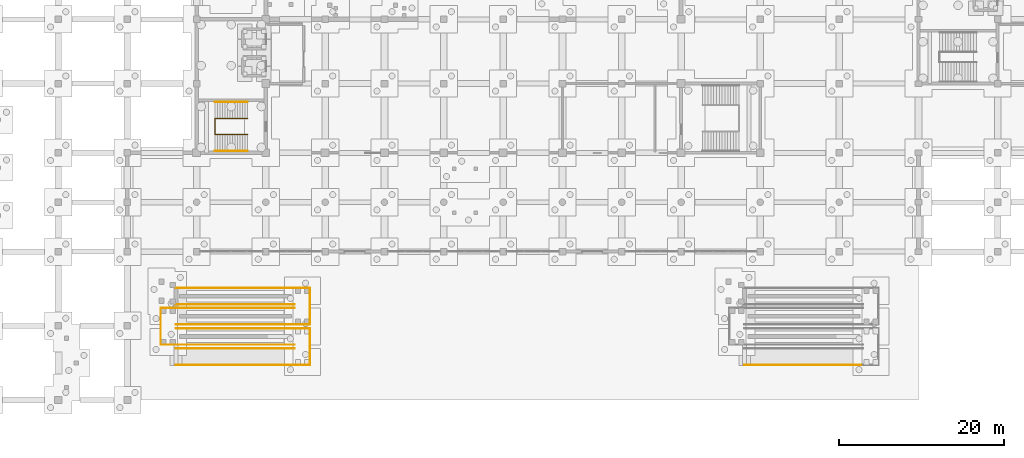
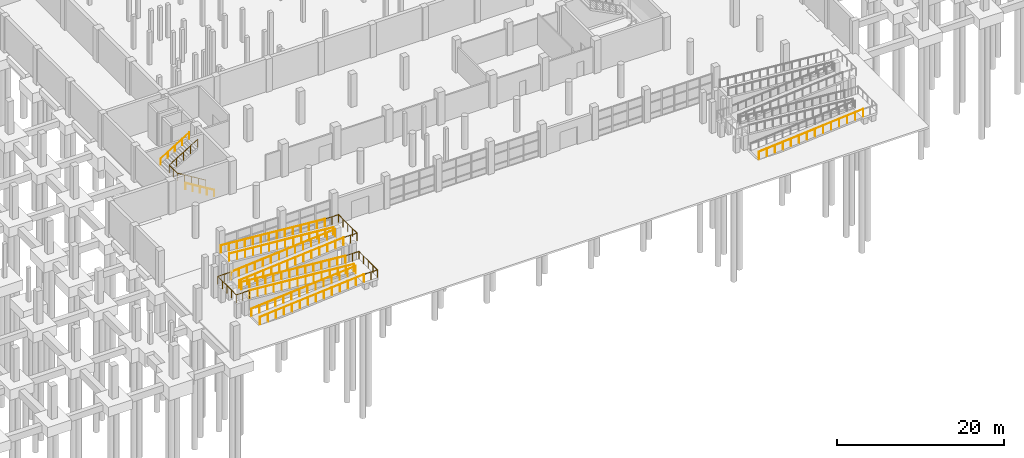
# One storey, part 38 of 42: 15 railings.
"""IFC4 building model written with IfcOpenShell, lengths in metres."""

from ifc_helpers import new_model, si_unit, direction, frame, origin, origin_2d, place, context, subcontext, project, spatial, circle, extrude, material, type_object, element, save


model = new_model("IFC4")

# Units and contexts
model_context = context("Model", 3, precision=1e-05, world=origin(), true_north=direction((0.0, 1.0)))
body_context = subcontext(model_context, "Body", "Model", "MODEL_VIEW")
ifc_project = project(units=[si_unit("LENGTHUNIT", "METRE"), si_unit("AREAUNIT", "SQUARE_METRE"), si_unit("VOLUMEUNIT", "CUBIC_METRE"), si_unit("PLANEANGLEUNIT", "RADIAN"), si_unit("MASSUNIT", "GRAM", prefix="KILO")], contexts=[model_context])

# Site, building, storey
site_placement = place(None, origin())
site = spatial("IfcSite", under=ifc_project, at=site_placement, CompositionType="ELEMENT")
building_placement = place(site_placement, origin())
building = spatial("IfcBuilding", under=site, at=building_placement, Name="Pellamere Symphony Hall", CompositionType="ELEMENT")
storey_placement = place(building_placement, frame((0.0, 0.0, -4.800048828125)))
storey = spatial("IfcBuildingStorey", under=building, at=storey_placement, Name="B1", CompositionType="ELEMENT", Elevation=-4.800048828125)

# Railings
ifc_material_1 = material(Name="Painted Steel CSA G40.21 350W", Category="steel")
railing_type_1 = type_object("IfcRailingType", Name="Guardrail GR-02 H1150 Painted", PredefinedType="GUARDRAIL", material=ifc_material_1)
railing_1_placement = place(storey_placement, frame((56.574951171875, 32.239990234375, 0.0)))
element("IfcRailing", 1, at=railing_1_placement, inside=storey, type_object=railing_type_1, Name="Stair ST01-B1 Continuous Well Guardrail (B1)", PredefinedType="GUARDRAIL", context=body_context, shape_type="SweptSolid", body=[
    extrude(circle(Radius=0.02392578125, at=origin_2d()), frame((0.0, 0.0, 1.1259765625), z_axis=(-0.854599162348, 0.0, 0.519288235679), x_axis=(0.0, -1.0, 0.0)), (0.0, 0.0, 1.0), 4.6220703125),
    extrude(circle(Radius=0.02392578125, at=origin_2d()), frame((-3.949951171875, 0.0, 3.52587890625), z_axis=(0.0, 1.0, 0.0), x_axis=(-1.0, 0.0, 0.0)), (0.0, 0.0, 1.0), 1.919921875),
    extrude(circle(Radius=0.02392578125, at=origin_2d()), frame((-3.949951171875, 1.919921875, 3.52587890625), z_axis=(0.854622603422, 0.0, 0.519249656446), x_axis=(0.0, 1.0, 0.0)), (0.0, 0.0, 1.0), 4.621826171875),
    extrude(circle(Radius=0.02099609375, at=origin_2d()), origin(), (0.0, 0.0, 1.0), 1.101806640625),
    extrude(circle(Radius=0.02099609375, at=origin_2d()), frame((-0.987548828125, 0.0, 0.60009765625)), (0.0, 0.0, 1.0), 1.101806640625),
    extrude(circle(Radius=0.02099609375, at=origin_2d()), frame((-1.97509765625, 0.0, 1.2001953125)), (0.0, 0.0, 1.0), 1.101806640625),
    extrude(circle(Radius=0.02099609375, at=origin_2d()), frame((-2.96240234375, 0.0, 1.800048828125)), (0.0, 0.0, 1.0), 1.101806640625),
    extrude(circle(Radius=0.02099609375, at=origin_2d()), frame((-3.949951171875, 0.0, 2.400146484375)), (0.0, 0.0, 1.0), 1.101806640625),
    extrude(circle(Radius=0.02099609375, at=origin_2d()), frame((-3.949951171875, 0.9599609375, 2.400146484375)), (0.0, 0.0, 1.0), 1.101806640625),
    extrude(circle(Radius=0.02099609375, at=origin_2d()), frame((-3.949951171875, 1.919921875, 2.400146484375)), (0.0, 0.0, 1.0), 1.101806640625),
    extrude(circle(Radius=0.02099609375, at=origin_2d()), frame((-2.96240234375, 1.919921875, 3.0)), (0.0, 0.0, 1.0), 1.101806640625),
    extrude(circle(Radius=0.02099609375, at=origin_2d()), frame((-1.97509765625, 1.919921875, 3.60009765625)), (0.0, 0.0, 1.0), 1.101806640625),
    extrude(circle(Radius=0.02099609375, at=origin_2d()), frame((-0.987548828125, 1.919921875, 4.2001953125)), (0.0, 0.0, 1.0), 1.101806640625),
    extrude(circle(Radius=0.02099609375, at=origin_2d()), frame((0.0, 1.919921875, 4.800048828125)), (0.0, 0.0, 1.0), 1.101806640625),
])
railing_2_placement = place(storey_placement, frame((47.89990234375, 4.25, 0.0)))
element("IfcRailing", 2, at=railing_2_placement, inside=storey, type_object=railing_type_1, Name="Ramp RMP-01 Flight 1 Guardrail A", PredefinedType="GUARDRAIL", context=body_context, shape_type="SweptSolid", body=[
    extrude(circle(Radius=0.02392578125, at=origin_2d()), frame((0.0, 0.0, 1.1259765625), z_axis=(0.996546107798, 0.0, 0.083041285113), x_axis=(0.0, 1.0, 0.0)), (0.0, 0.0, 1.0), 14.449951171875),
    extrude(circle(Radius=0.02099609375, at=origin_2d()), origin(), (0.0, 0.0, 1.0), 1.101806640625),
    extrude(circle(Radius=0.02099609375, at=origin_2d()), frame((1.107666015625, 0.0, 0.09228515625)), (0.0, 0.0, 1.0), 1.101806640625),
    extrude(circle(Radius=0.02099609375, at=origin_2d()), frame((2.21533203125, 0.0, 0.1845703125)), (0.0, 0.0, 1.0), 1.101806640625),
    extrude(circle(Radius=0.02099609375, at=origin_2d()), frame((3.322998046875, 0.0, 0.27685546875)), (0.0, 0.0, 1.0), 1.101806640625),
    extrude(circle(Radius=0.02099609375, at=origin_2d()), frame((4.430908203125, 0.0, 0.369140625)), (0.0, 0.0, 1.0), 1.101806640625),
    extrude(circle(Radius=0.02099609375, at=origin_2d()), frame((5.53857421875, 0.0, 0.46142578125)), (0.0, 0.0, 1.0), 1.101806640625),
    extrude(circle(Radius=0.02099609375, at=origin_2d()), frame((6.646240234375, 0.0, 0.5537109375)), (0.0, 0.0, 1.0), 1.101806640625),
    extrude(circle(Radius=0.02099609375, at=origin_2d()), frame((7.75390625, 0.0, 0.646240234375)), (0.0, 0.0, 1.0), 1.101806640625),
    extrude(circle(Radius=0.02099609375, at=origin_2d()), frame((8.861572265625, 0.0, 0.738525390625)), (0.0, 0.0, 1.0), 1.101806640625),
    extrude(circle(Radius=0.02099609375, at=origin_2d()), frame((9.96923828125, 0.0, 0.830810546875)), (0.0, 0.0, 1.0), 1.101806640625),
    extrude(circle(Radius=0.02099609375, at=origin_2d()), frame((11.0771484375, 0.0, 0.923095703125)), (0.0, 0.0, 1.0), 1.101806640625),
    extrude(circle(Radius=0.02099609375, at=origin_2d()), frame((12.184814453125, 0.0, 1.015380859375)), (0.0, 0.0, 1.0), 1.101806640625),
    extrude(circle(Radius=0.02099609375, at=origin_2d()), frame((13.29248046875, 0.0, 1.107666015625)), (0.0, 0.0, 1.0), 1.101806640625),
    extrude(circle(Radius=0.02099609375, at=origin_2d()), frame((14.400146484375, 0.0, 1.199951171875)), (0.0, 0.0, 1.0), 1.101806640625),
])
railing_3_placement = place(storey_placement, frame((47.89990234375, 6.25, 0.0)))
element("IfcRailing", 3, at=railing_3_placement, inside=storey, type_object=railing_type_1, Name="Ramp RMP-01 Flight 1 Guardrail B", PredefinedType="GUARDRAIL", context=body_context, shape_type="SweptSolid", body=[
    extrude(circle(Radius=0.02392578125, at=origin_2d()), frame((0.0, 0.0, 1.1259765625), z_axis=(0.996546107798, 0.0, 0.083041285113), x_axis=(0.0, 1.0, 0.0)), (0.0, 0.0, 1.0), 14.449951171875),
    extrude(circle(Radius=0.02099609375, at=origin_2d()), origin(), (0.0, 0.0, 1.0), 1.101806640625),
    extrude(circle(Radius=0.02099609375, at=origin_2d()), frame((1.107666015625, 0.0, 0.09228515625)), (0.0, 0.0, 1.0), 1.101806640625),
    extrude(circle(Radius=0.02099609375, at=origin_2d()), frame((2.21533203125, 0.0, 0.1845703125)), (0.0, 0.0, 1.0), 1.101806640625),
    extrude(circle(Radius=0.02099609375, at=origin_2d()), frame((3.322998046875, 0.0, 0.27685546875)), (0.0, 0.0, 1.0), 1.101806640625),
    extrude(circle(Radius=0.02099609375, at=origin_2d()), frame((4.430908203125, 0.0, 0.369140625)), (0.0, 0.0, 1.0), 1.101806640625),
    extrude(circle(Radius=0.02099609375, at=origin_2d()), frame((5.53857421875, 0.0, 0.46142578125)), (0.0, 0.0, 1.0), 1.101806640625),
    extrude(circle(Radius=0.02099609375, at=origin_2d()), frame((6.646240234375, 0.0, 0.5537109375)), (0.0, 0.0, 1.0), 1.101806640625),
    extrude(circle(Radius=0.02099609375, at=origin_2d()), frame((7.75390625, 0.0, 0.646240234375)), (0.0, 0.0, 1.0), 1.101806640625),
    extrude(circle(Radius=0.02099609375, at=origin_2d()), frame((8.861572265625, 0.0, 0.738525390625)), (0.0, 0.0, 1.0), 1.101806640625),
    extrude(circle(Radius=0.02099609375, at=origin_2d()), frame((9.96923828125, 0.0, 0.830810546875)), (0.0, 0.0, 1.0), 1.101806640625),
    extrude(circle(Radius=0.02099609375, at=origin_2d()), frame((11.0771484375, 0.0, 0.923095703125)), (0.0, 0.0, 1.0), 1.101806640625),
    extrude(circle(Radius=0.02099609375, at=origin_2d()), frame((12.184814453125, 0.0, 1.015380859375)), (0.0, 0.0, 1.0), 1.101806640625),
    extrude(circle(Radius=0.02099609375, at=origin_2d()), frame((13.29248046875, 0.0, 1.107666015625)), (0.0, 0.0, 1.0), 1.101806640625),
    extrude(circle(Radius=0.02099609375, at=origin_2d()), frame((14.400146484375, 0.0, 1.199951171875)), (0.0, 0.0, 1.0), 1.101806640625),
])
railing_4_placement = place(storey_placement, frame((62.35009765625, 4.25, 1.199951171875)))
element("IfcRailing", 4, at=railing_4_placement, inside=storey, type_object=railing_type_1, Name="Ramp RMP-01 Landing 1 Perimeter Guard", PredefinedType="GUARDRAIL", context=body_context, shape_type="SweptSolid", body=[
    extrude(circle(Radius=0.02392578125, at=origin_2d()), frame((0.0, 0.0, 1.1259765625), z_axis=(1.0, 0.0, 0.0), x_axis=(0.0, 1.0, 0.0)), (0.0, 0.0, 1.0), 1.7998046875),
    extrude(circle(Radius=0.02392578125, at=origin_2d()), frame((1.7998046875, 0.0, 1.1259765625), z_axis=(0.0, 1.0, 0.0), x_axis=(-1.0, 0.0, 0.0)), (0.0, 0.0, 1.0), 4.449951171875),
    extrude(circle(Radius=0.02392578125, at=origin_2d()), frame((1.7998046875, 4.449951171875, 1.1259765625), z_axis=(-1.0, 0.0, 0.0), x_axis=(0.0, -1.0, 0.0)), (0.0, 0.0, 1.0), 1.7998046875),
    extrude(circle(Radius=0.02099609375, at=origin_2d()), origin(), (0.0, 0.0, 1.0), 1.101806640625),
    extrude(circle(Radius=0.02099609375, at=origin_2d()), frame((0.89990234375, 0.0, 0.0)), (0.0, 0.0, 1.0), 1.101806640625),
    extrude(circle(Radius=0.02099609375, at=origin_2d()), frame((1.7998046875, 0.0, 0.0)), (0.0, 0.0, 1.0), 1.101806640625),
    extrude(circle(Radius=0.02099609375, at=origin_2d()), frame((1.7998046875, 1.112548828125, 0.0)), (0.0, 0.0, 1.0), 1.101806640625),
    extrude(circle(Radius=0.02099609375, at=origin_2d()), frame((1.7998046875, 2.22509765625, 0.0)), (0.0, 0.0, 1.0), 1.101806640625),
    extrude(circle(Radius=0.02099609375, at=origin_2d()), frame((1.7998046875, 3.33740234375, 0.0)), (0.0, 0.0, 1.0), 1.101806640625),
    extrude(circle(Radius=0.02099609375, at=origin_2d()), frame((1.7998046875, 4.449951171875, 0.0)), (0.0, 0.0, 1.0), 1.101806640625),
    extrude(circle(Radius=0.02099609375, at=origin_2d()), frame((0.89990234375, 4.449951171875, 0.0)), (0.0, 0.0, 1.0), 1.101806640625),
    extrude(circle(Radius=0.02099609375, at=origin_2d()), frame((0.0, 4.449951171875, 0.0)), (0.0, 0.0, 1.0), 1.101806640625),
])
railing_5_placement = place(storey_placement, frame((62.300048828125, 6.699951171875, 1.199951171875)))
element("IfcRailing", 5, at=railing_5_placement, inside=storey, type_object=railing_type_1, Name="Ramp RMP-01 Flight 2 Guardrail A", PredefinedType="GUARDRAIL", context=body_context, shape_type="SweptSolid", body=[
    extrude(circle(Radius=0.02392578125, at=origin_2d()), frame((0.0, 0.0, 1.1259765625), z_axis=(-0.996544709482, 0.0, 0.083058064049), x_axis=(0.0, -1.0, 0.0)), (0.0, 0.0, 1.0), 14.4501953125),
    extrude(circle(Radius=0.02099609375, at=origin_2d()), origin(), (0.0, 0.0, 1.0), 1.101806640625),
    extrude(circle(Radius=0.02099609375, at=origin_2d()), frame((-1.107666015625, 0.0, 0.09228515625)), (0.0, 0.0, 1.0), 1.101806640625),
    extrude(circle(Radius=0.02099609375, at=origin_2d()), frame((-2.21533203125, 0.0, 0.1845703125)), (0.0, 0.0, 1.0), 1.101806640625),
    extrude(circle(Radius=0.02099609375, at=origin_2d()), frame((-3.322998046875, 0.0, 0.27685546875)), (0.0, 0.0, 1.0), 1.101806640625),
    extrude(circle(Radius=0.02099609375, at=origin_2d()), frame((-4.430908203125, 0.0, 0.369384765625)), (0.0, 0.0, 1.0), 1.101806640625),
    extrude(circle(Radius=0.02099609375, at=origin_2d()), frame((-5.53857421875, 0.0, 0.461669921875)), (0.0, 0.0, 1.0), 1.101806640625),
    extrude(circle(Radius=0.02099609375, at=origin_2d()), frame((-6.646240234375, 0.0, 0.553955078125)), (0.0, 0.0, 1.0), 1.101806640625),
    extrude(circle(Radius=0.02099609375, at=origin_2d()), frame((-7.75390625, 0.0, 0.646240234375)), (0.0, 0.0, 1.0), 1.101806640625),
    extrude(circle(Radius=0.02099609375, at=origin_2d()), frame((-8.861572265625, 0.0, 0.738525390625)), (0.0, 0.0, 1.0), 1.101806640625),
    extrude(circle(Radius=0.02099609375, at=origin_2d()), frame((-9.96923828125, 0.0, 0.830810546875)), (0.0, 0.0, 1.0), 1.101806640625),
    extrude(circle(Radius=0.02099609375, at=origin_2d()), frame((-11.0771484375, 0.0, 0.92333984375)), (0.0, 0.0, 1.0), 1.101806640625),
    extrude(circle(Radius=0.02099609375, at=origin_2d()), frame((-12.184814453125, 0.0, 1.015625)), (0.0, 0.0, 1.0), 1.101806640625),
    extrude(circle(Radius=0.02099609375, at=origin_2d()), frame((-13.29248046875, 0.0, 1.10791015625)), (0.0, 0.0, 1.0), 1.101806640625),
    extrude(circle(Radius=0.02099609375, at=origin_2d()), frame((-14.400146484375, 0.0, 1.2001953125)), (0.0, 0.0, 1.0), 1.101806640625),
])
railing_6_placement = place(storey_placement, frame((62.300048828125, 8.699951171875, 1.199951171875)))
element("IfcRailing", 6, at=railing_6_placement, inside=storey, type_object=railing_type_1, Name="Ramp RMP-01 Flight 2 Guardrail B", PredefinedType="GUARDRAIL", context=body_context, shape_type="SweptSolid", body=[
    extrude(circle(Radius=0.02392578125, at=origin_2d()), frame((0.0, 0.0, 1.1259765625), z_axis=(-0.996544709482, 0.0, 0.083058064049), x_axis=(0.0, -1.0, 0.0)), (0.0, 0.0, 1.0), 14.4501953125),
    extrude(circle(Radius=0.02099609375, at=origin_2d()), origin(), (0.0, 0.0, 1.0), 1.101806640625),
    extrude(circle(Radius=0.02099609375, at=origin_2d()), frame((-1.107666015625, 0.0, 0.09228515625)), (0.0, 0.0, 1.0), 1.101806640625),
    extrude(circle(Radius=0.02099609375, at=origin_2d()), frame((-2.21533203125, 0.0, 0.1845703125)), (0.0, 0.0, 1.0), 1.101806640625),
    extrude(circle(Radius=0.02099609375, at=origin_2d()), frame((-3.322998046875, 0.0, 0.27685546875)), (0.0, 0.0, 1.0), 1.101806640625),
    extrude(circle(Radius=0.02099609375, at=origin_2d()), frame((-4.430908203125, 0.0, 0.369384765625)), (0.0, 0.0, 1.0), 1.101806640625),
    extrude(circle(Radius=0.02099609375, at=origin_2d()), frame((-5.53857421875, 0.0, 0.461669921875)), (0.0, 0.0, 1.0), 1.101806640625),
    extrude(circle(Radius=0.02099609375, at=origin_2d()), frame((-6.646240234375, 0.0, 0.553955078125)), (0.0, 0.0, 1.0), 1.101806640625),
    extrude(circle(Radius=0.02099609375, at=origin_2d()), frame((-7.75390625, 0.0, 0.646240234375)), (0.0, 0.0, 1.0), 1.101806640625),
    extrude(circle(Radius=0.02099609375, at=origin_2d()), frame((-8.861572265625, 0.0, 0.738525390625)), (0.0, 0.0, 1.0), 1.101806640625),
    extrude(circle(Radius=0.02099609375, at=origin_2d()), frame((-9.96923828125, 0.0, 0.830810546875)), (0.0, 0.0, 1.0), 1.101806640625),
    extrude(circle(Radius=0.02099609375, at=origin_2d()), frame((-11.0771484375, 0.0, 0.92333984375)), (0.0, 0.0, 1.0), 1.101806640625),
    extrude(circle(Radius=0.02099609375, at=origin_2d()), frame((-12.184814453125, 0.0, 1.015625)), (0.0, 0.0, 1.0), 1.101806640625),
    extrude(circle(Radius=0.02099609375, at=origin_2d()), frame((-13.29248046875, 0.0, 1.10791015625)), (0.0, 0.0, 1.0), 1.101806640625),
    extrude(circle(Radius=0.02099609375, at=origin_2d()), frame((-14.400146484375, 0.0, 1.2001953125)), (0.0, 0.0, 1.0), 1.101806640625),
])
railing_7_placement = place(storey_placement, frame((47.85009765625, 6.699951171875, 2.400146484375)))
element("IfcRailing", 7, at=railing_7_placement, inside=storey, type_object=railing_type_1, Name="Ramp RMP-01 Landing 2 Perimeter Guard", PredefinedType="GUARDRAIL", context=body_context, shape_type="SweptSolid", body=[
    extrude(circle(Radius=0.02392578125, at=origin_2d()), frame((0.0, 0.0, 1.1259765625), z_axis=(-1.0, 0.0, 0.0), x_axis=(0.0, -1.0, 0.0)), (0.0, 0.0, 1.0), 1.800048828125),
    extrude(circle(Radius=0.02392578125, at=origin_2d()), frame((-1.800048828125, 0.0, 1.1259765625), z_axis=(0.0, 1.0, 0.0), x_axis=(-1.0, 0.0, 0.0)), (0.0, 0.0, 1.0), 4.449951171875),
    extrude(circle(Radius=0.02392578125, at=origin_2d()), frame((-1.800048828125, 4.449951171875, 1.1259765625), z_axis=(1.0, 0.0, 0.0), x_axis=(0.0, 1.0, 0.0)), (0.0, 0.0, 1.0), 1.800048828125),
    extrude(circle(Radius=0.02099609375, at=origin_2d()), origin(), (0.0, 0.0, 1.0), 1.101806640625),
    extrude(circle(Radius=0.02099609375, at=origin_2d()), frame((-0.89990234375, 0.0, 0.0)), (0.0, 0.0, 1.0), 1.101806640625),
    extrude(circle(Radius=0.02099609375, at=origin_2d()), frame((-1.800048828125, 0.0, 0.0)), (0.0, 0.0, 1.0), 1.101806640625),
    extrude(circle(Radius=0.02099609375, at=origin_2d()), frame((-1.800048828125, 1.112548828125, 0.0)), (0.0, 0.0, 1.0), 1.101806640625),
    extrude(circle(Radius=0.02099609375, at=origin_2d()), frame((-1.800048828125, 2.22509765625, 0.0)), (0.0, 0.0, 1.0), 1.101806640625),
    extrude(circle(Radius=0.02099609375, at=origin_2d()), frame((-1.800048828125, 3.33740234375, 0.0)), (0.0, 0.0, 1.0), 1.101806640625),
    extrude(circle(Radius=0.02099609375, at=origin_2d()), frame((-1.800048828125, 4.449951171875, 0.0)), (0.0, 0.0, 1.0), 1.101806640625),
    extrude(circle(Radius=0.02099609375, at=origin_2d()), frame((-0.89990234375, 4.449951171875, 0.0)), (0.0, 0.0, 1.0), 1.101806640625),
    extrude(circle(Radius=0.02099609375, at=origin_2d()), frame((0.0, 4.449951171875, 0.0)), (0.0, 0.0, 1.0), 1.101806640625),
])
railing_8_placement = place(storey_placement, frame((47.89990234375, 9.14990234375, 2.400146484375)))
element("IfcRailing", 8, at=railing_8_placement, inside=storey, type_object=railing_type_1, Name="Ramp RMP-01 Flight 3 Guardrail A", PredefinedType="GUARDRAIL", context=body_context, shape_type="SweptSolid", body=[
    extrude(circle(Radius=0.02392578125, at=origin_2d()), frame((0.0, 0.0, 1.1259765625), z_axis=(0.996546107798, 0.0, 0.083041285113), x_axis=(0.0, 1.0, 0.0)), (0.0, 0.0, 1.0), 14.449951171875),
    extrude(circle(Radius=0.02099609375, at=origin_2d()), origin(), (0.0, 0.0, 1.0), 1.101806640625),
    extrude(circle(Radius=0.02099609375, at=origin_2d()), frame((1.107666015625, 0.0, 0.09228515625)), (0.0, 0.0, 1.0), 1.101806640625),
    extrude(circle(Radius=0.02099609375, at=origin_2d()), frame((2.21533203125, 0.0, 0.1845703125)), (0.0, 0.0, 1.0), 1.101806640625),
    extrude(circle(Radius=0.02099609375, at=origin_2d()), frame((3.322998046875, 0.0, 0.27685546875)), (0.0, 0.0, 1.0), 1.101806640625),
    extrude(circle(Radius=0.02099609375, at=origin_2d()), frame((4.430908203125, 0.0, 0.369140625)), (0.0, 0.0, 1.0), 1.101806640625),
    extrude(circle(Radius=0.02099609375, at=origin_2d()), frame((5.53857421875, 0.0, 0.46142578125)), (0.0, 0.0, 1.0), 1.101806640625),
    extrude(circle(Radius=0.02099609375, at=origin_2d()), frame((6.646240234375, 0.0, 0.5537109375)), (0.0, 0.0, 1.0), 1.101806640625),
    extrude(circle(Radius=0.02099609375, at=origin_2d()), frame((7.75390625, 0.0, 0.646240234375)), (0.0, 0.0, 1.0), 1.101806640625),
    extrude(circle(Radius=0.02099609375, at=origin_2d()), frame((8.861572265625, 0.0, 0.738525390625)), (0.0, 0.0, 1.0), 1.101806640625),
    extrude(circle(Radius=0.02099609375, at=origin_2d()), frame((9.96923828125, 0.0, 0.830810546875)), (0.0, 0.0, 1.0), 1.101806640625),
    extrude(circle(Radius=0.02099609375, at=origin_2d()), frame((11.0771484375, 0.0, 0.923095703125)), (0.0, 0.0, 1.0), 1.101806640625),
    extrude(circle(Radius=0.02099609375, at=origin_2d()), frame((12.184814453125, 0.0, 1.015380859375)), (0.0, 0.0, 1.0), 1.101806640625),
    extrude(circle(Radius=0.02099609375, at=origin_2d()), frame((13.29248046875, 0.0, 1.107666015625)), (0.0, 0.0, 1.0), 1.101806640625),
    extrude(circle(Radius=0.02099609375, at=origin_2d()), frame((14.400146484375, 0.0, 1.199951171875)), (0.0, 0.0, 1.0), 1.101806640625),
])
railing_9_placement = place(storey_placement, frame((47.89990234375, 11.14990234375, 2.400146484375)))
element("IfcRailing", 9, at=railing_9_placement, inside=storey, type_object=railing_type_1, Name="Ramp RMP-01 Flight 3 Guardrail B", PredefinedType="GUARDRAIL", context=body_context, shape_type="SweptSolid", body=[
    extrude(circle(Radius=0.02392578125, at=origin_2d()), frame((0.0, 0.0, 1.1259765625), z_axis=(0.996546107798, 0.0, 0.083041285113), x_axis=(0.0, 1.0, 0.0)), (0.0, 0.0, 1.0), 14.449951171875),
    extrude(circle(Radius=0.02099609375, at=origin_2d()), origin(), (0.0, 0.0, 1.0), 1.101806640625),
    extrude(circle(Radius=0.02099609375, at=origin_2d()), frame((1.107666015625, 0.0, 0.09228515625)), (0.0, 0.0, 1.0), 1.101806640625),
    extrude(circle(Radius=0.02099609375, at=origin_2d()), frame((2.21533203125, 0.0, 0.1845703125)), (0.0, 0.0, 1.0), 1.101806640625),
    extrude(circle(Radius=0.02099609375, at=origin_2d()), frame((3.322998046875, 0.0, 0.27685546875)), (0.0, 0.0, 1.0), 1.101806640625),
    extrude(circle(Radius=0.02099609375, at=origin_2d()), frame((4.430908203125, 0.0, 0.369140625)), (0.0, 0.0, 1.0), 1.101806640625),
    extrude(circle(Radius=0.02099609375, at=origin_2d()), frame((5.53857421875, 0.0, 0.46142578125)), (0.0, 0.0, 1.0), 1.101806640625),
    extrude(circle(Radius=0.02099609375, at=origin_2d()), frame((6.646240234375, 0.0, 0.5537109375)), (0.0, 0.0, 1.0), 1.101806640625),
    extrude(circle(Radius=0.02099609375, at=origin_2d()), frame((7.75390625, 0.0, 0.646240234375)), (0.0, 0.0, 1.0), 1.101806640625),
    extrude(circle(Radius=0.02099609375, at=origin_2d()), frame((8.861572265625, 0.0, 0.738525390625)), (0.0, 0.0, 1.0), 1.101806640625),
    extrude(circle(Radius=0.02099609375, at=origin_2d()), frame((9.96923828125, 0.0, 0.830810546875)), (0.0, 0.0, 1.0), 1.101806640625),
    extrude(circle(Radius=0.02099609375, at=origin_2d()), frame((11.0771484375, 0.0, 0.923095703125)), (0.0, 0.0, 1.0), 1.101806640625),
    extrude(circle(Radius=0.02099609375, at=origin_2d()), frame((12.184814453125, 0.0, 1.015380859375)), (0.0, 0.0, 1.0), 1.101806640625),
    extrude(circle(Radius=0.02099609375, at=origin_2d()), frame((13.29248046875, 0.0, 1.107666015625)), (0.0, 0.0, 1.0), 1.101806640625),
    extrude(circle(Radius=0.02099609375, at=origin_2d()), frame((14.400146484375, 0.0, 1.199951171875)), (0.0, 0.0, 1.0), 1.101806640625),
])
railing_10_placement = place(storey_placement, frame((62.35009765625, 9.14990234375, 3.60009765625)))
element("IfcRailing", 10, at=railing_10_placement, inside=storey, type_object=railing_type_1, Name="Ramp RMP-01 Landing 3 Perimeter Guard", PredefinedType="GUARDRAIL", context=body_context, shape_type="SweptSolid", body=[
    extrude(circle(Radius=0.02392578125, at=origin_2d()), frame((0.0, 0.0, 1.1259765625), z_axis=(1.0, 0.0, 0.0), x_axis=(0.0, 1.0, 0.0)), (0.0, 0.0, 1.0), 1.7998046875),
    extrude(circle(Radius=0.02392578125, at=origin_2d()), frame((1.7998046875, 0.0, 1.1259765625), z_axis=(0.0, 1.0, 0.0), x_axis=(-1.0, 0.0, 0.0)), (0.0, 0.0, 1.0), 4.4501953125),
    extrude(circle(Radius=0.02392578125, at=origin_2d()), frame((1.7998046875, 4.4501953125, 1.1259765625), z_axis=(-1.0, 0.0, 0.0), x_axis=(0.0, -1.0, 0.0)), (0.0, 0.0, 1.0), 1.7998046875),
    extrude(circle(Radius=0.02099609375, at=origin_2d()), origin(), (0.0, 0.0, 1.0), 1.101806640625),
    extrude(circle(Radius=0.02099609375, at=origin_2d()), frame((0.89990234375, 0.0, 0.0)), (0.0, 0.0, 1.0), 1.101806640625),
    extrude(circle(Radius=0.02099609375, at=origin_2d()), frame((1.7998046875, 0.0, 0.0)), (0.0, 0.0, 1.0), 1.101806640625),
    extrude(circle(Radius=0.02099609375, at=origin_2d()), frame((1.7998046875, 1.112548828125, 0.0)), (0.0, 0.0, 1.0), 1.101806640625),
    extrude(circle(Radius=0.02099609375, at=origin_2d()), frame((1.7998046875, 2.22509765625, 0.0)), (0.0, 0.0, 1.0), 1.101806640625),
    extrude(circle(Radius=0.02099609375, at=origin_2d()), frame((1.7998046875, 3.337646484375, 0.0)), (0.0, 0.0, 1.0), 1.101806640625),
    extrude(circle(Radius=0.02099609375, at=origin_2d()), frame((1.7998046875, 4.4501953125, 0.0)), (0.0, 0.0, 1.0), 1.101806640625),
    extrude(circle(Radius=0.02099609375, at=origin_2d()), frame((0.89990234375, 4.4501953125, 0.0)), (0.0, 0.0, 1.0), 1.101806640625),
    extrude(circle(Radius=0.02099609375, at=origin_2d()), frame((0.0, 4.4501953125, 0.0)), (0.0, 0.0, 1.0), 1.101806640625),
])
railing_11_placement = place(storey_placement, frame((62.300048828125, 11.60009765625, 3.60009765625)))
element("IfcRailing", 11, at=railing_11_placement, inside=storey, type_object=railing_type_1, Name="Ramp RMP-01 Flight 4 Guardrail A", PredefinedType="GUARDRAIL", context=body_context, shape_type="SweptSolid", body=[
    extrude(circle(Radius=0.02392578125, at=origin_2d()), frame((0.0, 0.0, 1.1259765625), z_axis=(-0.996546107798, 0.0, 0.083041285113), x_axis=(0.0, -1.0, 0.0)), (0.0, 0.0, 1.0), 14.449951171875),
    extrude(circle(Radius=0.02099609375, at=origin_2d()), origin(), (0.0, 0.0, 1.0), 1.101806640625),
    extrude(circle(Radius=0.02099609375, at=origin_2d()), frame((-1.107666015625, 0.0, 0.09228515625)), (0.0, 0.0, 1.0), 1.101806640625),
    extrude(circle(Radius=0.02099609375, at=origin_2d()), frame((-2.21533203125, 0.0, 0.1845703125)), (0.0, 0.0, 1.0), 1.101806640625),
    extrude(circle(Radius=0.02099609375, at=origin_2d()), frame((-3.322998046875, 0.0, 0.27685546875)), (0.0, 0.0, 1.0), 1.101806640625),
    extrude(circle(Radius=0.02099609375, at=origin_2d()), frame((-4.430908203125, 0.0, 0.369140625)), (0.0, 0.0, 1.0), 1.101806640625),
    extrude(circle(Radius=0.02099609375, at=origin_2d()), frame((-5.53857421875, 0.0, 0.46142578125)), (0.0, 0.0, 1.0), 1.101806640625),
    extrude(circle(Radius=0.02099609375, at=origin_2d()), frame((-6.646240234375, 0.0, 0.5537109375)), (0.0, 0.0, 1.0), 1.101806640625),
    extrude(circle(Radius=0.02099609375, at=origin_2d()), frame((-7.75390625, 0.0, 0.646240234375)), (0.0, 0.0, 1.0), 1.101806640625),
    extrude(circle(Radius=0.02099609375, at=origin_2d()), frame((-8.861572265625, 0.0, 0.738525390625)), (0.0, 0.0, 1.0), 1.101806640625),
    extrude(circle(Radius=0.02099609375, at=origin_2d()), frame((-9.96923828125, 0.0, 0.830810546875)), (0.0, 0.0, 1.0), 1.101806640625),
    extrude(circle(Radius=0.02099609375, at=origin_2d()), frame((-11.0771484375, 0.0, 0.923095703125)), (0.0, 0.0, 1.0), 1.101806640625),
    extrude(circle(Radius=0.02099609375, at=origin_2d()), frame((-12.184814453125, 0.0, 1.015380859375)), (0.0, 0.0, 1.0), 1.101806640625),
    extrude(circle(Radius=0.02099609375, at=origin_2d()), frame((-13.29248046875, 0.0, 1.107666015625)), (0.0, 0.0, 1.0), 1.101806640625),
    extrude(circle(Radius=0.02099609375, at=origin_2d()), frame((-14.400146484375, 0.0, 1.199951171875)), (0.0, 0.0, 1.0), 1.101806640625),
])
railing_12_placement = place(storey_placement, frame((62.300048828125, 13.60009765625, 3.60009765625)))
element("IfcRailing", 12, at=railing_12_placement, inside=storey, type_object=railing_type_1, Name="Ramp RMP-01 Flight 4 Guardrail B", PredefinedType="GUARDRAIL", context=body_context, shape_type="SweptSolid", body=[
    extrude(circle(Radius=0.02392578125, at=origin_2d()), frame((0.0, 0.0, 1.1259765625), z_axis=(-0.996546107798, 0.0, 0.083041285113), x_axis=(0.0, -1.0, 0.0)), (0.0, 0.0, 1.0), 14.449951171875),
    extrude(circle(Radius=0.02099609375, at=origin_2d()), origin(), (0.0, 0.0, 1.0), 1.101806640625),
    extrude(circle(Radius=0.02099609375, at=origin_2d()), frame((-1.107666015625, 0.0, 0.09228515625)), (0.0, 0.0, 1.0), 1.101806640625),
    extrude(circle(Radius=0.02099609375, at=origin_2d()), frame((-2.21533203125, 0.0, 0.1845703125)), (0.0, 0.0, 1.0), 1.101806640625),
    extrude(circle(Radius=0.02099609375, at=origin_2d()), frame((-3.322998046875, 0.0, 0.27685546875)), (0.0, 0.0, 1.0), 1.101806640625),
    extrude(circle(Radius=0.02099609375, at=origin_2d()), frame((-4.430908203125, 0.0, 0.369140625)), (0.0, 0.0, 1.0), 1.101806640625),
    extrude(circle(Radius=0.02099609375, at=origin_2d()), frame((-5.53857421875, 0.0, 0.46142578125)), (0.0, 0.0, 1.0), 1.101806640625),
    extrude(circle(Radius=0.02099609375, at=origin_2d()), frame((-6.646240234375, 0.0, 0.5537109375)), (0.0, 0.0, 1.0), 1.101806640625),
    extrude(circle(Radius=0.02099609375, at=origin_2d()), frame((-7.75390625, 0.0, 0.646240234375)), (0.0, 0.0, 1.0), 1.101806640625),
    extrude(circle(Radius=0.02099609375, at=origin_2d()), frame((-8.861572265625, 0.0, 0.738525390625)), (0.0, 0.0, 1.0), 1.101806640625),
    extrude(circle(Radius=0.02099609375, at=origin_2d()), frame((-9.96923828125, 0.0, 0.830810546875)), (0.0, 0.0, 1.0), 1.101806640625),
    extrude(circle(Radius=0.02099609375, at=origin_2d()), frame((-11.0771484375, 0.0, 0.923095703125)), (0.0, 0.0, 1.0), 1.101806640625),
    extrude(circle(Radius=0.02099609375, at=origin_2d()), frame((-12.184814453125, 0.0, 1.015380859375)), (0.0, 0.0, 1.0), 1.101806640625),
    extrude(circle(Radius=0.02099609375, at=origin_2d()), frame((-13.29248046875, 0.0, 1.107666015625)), (0.0, 0.0, 1.0), 1.101806640625),
    extrude(circle(Radius=0.02099609375, at=origin_2d()), frame((-14.400146484375, 0.0, 1.199951171875)), (0.0, 0.0, 1.0), 1.101806640625),
])
railing_13_placement = place(storey_placement, frame((116.89990234375, 4.25, 0.0)))
element("IfcRailing", 13, at=railing_13_placement, inside=storey, type_object=railing_type_1, Name="Ramp RMP-02 Flight 1 Guardrail A", PredefinedType="GUARDRAIL", context=body_context, shape_type="SweptSolid", body=[
    extrude(circle(Radius=0.02392578125, at=origin_2d()), frame((0.0, 0.0, 1.1259765625), z_axis=(0.996546107798, 0.0, 0.083041285113), x_axis=(0.0, 1.0, 0.0)), (0.0, 0.0, 1.0), 14.449951171875),
    extrude(circle(Radius=0.02099609375, at=origin_2d()), origin(), (0.0, 0.0, 1.0), 1.101806640625),
    extrude(circle(Radius=0.02099609375, at=origin_2d()), frame((1.107666015625, 0.0, 0.09228515625)), (0.0, 0.0, 1.0), 1.101806640625),
    extrude(circle(Radius=0.02099609375, at=origin_2d()), frame((2.21533203125, 0.0, 0.1845703125)), (0.0, 0.0, 1.0), 1.101806640625),
    extrude(circle(Radius=0.02099609375, at=origin_2d()), frame((3.322998046875, 0.0, 0.27685546875)), (0.0, 0.0, 1.0), 1.101806640625),
    extrude(circle(Radius=0.02099609375, at=origin_2d()), frame((4.430908203125, 0.0, 0.369140625)), (0.0, 0.0, 1.0), 1.101806640625),
    extrude(circle(Radius=0.02099609375, at=origin_2d()), frame((5.53857421875, 0.0, 0.46142578125)), (0.0, 0.0, 1.0), 1.101806640625),
    extrude(circle(Radius=0.02099609375, at=origin_2d()), frame((6.646240234375, 0.0, 0.5537109375)), (0.0, 0.0, 1.0), 1.101806640625),
    extrude(circle(Radius=0.02099609375, at=origin_2d()), frame((7.75390625, 0.0, 0.646240234375)), (0.0, 0.0, 1.0), 1.101806640625),
    extrude(circle(Radius=0.02099609375, at=origin_2d()), frame((8.861572265625, 0.0, 0.738525390625)), (0.0, 0.0, 1.0), 1.101806640625),
    extrude(circle(Radius=0.02099609375, at=origin_2d()), frame((9.96923828125, 0.0, 0.830810546875)), (0.0, 0.0, 1.0), 1.101806640625),
    extrude(circle(Radius=0.02099609375, at=origin_2d()), frame((11.0771484375, 0.0, 0.923095703125)), (0.0, 0.0, 1.0), 1.101806640625),
    extrude(circle(Radius=0.02099609375, at=origin_2d()), frame((12.184814453125, 0.0, 1.015380859375)), (0.0, 0.0, 1.0), 1.101806640625),
    extrude(circle(Radius=0.02099609375, at=origin_2d()), frame((13.29248046875, 0.0, 1.107666015625)), (0.0, 0.0, 1.0), 1.101806640625),
    extrude(circle(Radius=0.02099609375, at=origin_2d()), frame((14.400146484375, 0.0, 1.199951171875)), (0.0, 0.0, 1.0), 1.101806640625),
])
ifc_material_2 = material(Name="Stainless Steel AISI 316", Category="steel")
railing_type_2 = type_object("IfcRailingType", Name="Handrail HR-01 H920 Stainless", PredefinedType="HANDRAIL", material=ifc_material_2)
railing_14_placement = place(storey_placement, frame((56.574951171875, 30.219970703125, 0.0)))
element("IfcRailing", 14, at=railing_14_placement, inside=storey, type_object=railing_type_2, Name="Stair ST01-B1 Lower Wall Handrail (B1)", PredefinedType="HANDRAIL", context=body_context, shape_type="SweptSolid", body=[
    extrude(circle(Radius=0.02392578125, at=origin_2d()), frame((0.0, 0.0, 0.89599609375), z_axis=(-0.854599162348, 0.0, 0.519288235679), x_axis=(0.0, -1.0, 0.0)), (0.0, 0.0, 1.0), 4.6220703125),
    extrude(circle(Radius=0.02099609375, at=origin_2d()), origin(), (0.0, 0.0, 1.0), 0.871826171875),
    extrude(circle(Radius=0.02099609375, at=origin_2d()), frame((-0.987548828125, 0.0, 0.60009765625)), (0.0, 0.0, 1.0), 0.871826171875),
    extrude(circle(Radius=0.02099609375, at=origin_2d()), frame((-1.97509765625, 0.0, 1.2001953125)), (0.0, 0.0, 1.0), 0.871826171875),
    extrude(circle(Radius=0.02099609375, at=origin_2d()), frame((-2.96240234375, 0.0, 1.800048828125)), (0.0, 0.0, 1.0), 0.871826171875),
    extrude(circle(Radius=0.02099609375, at=origin_2d()), frame((-3.949951171875, 0.0, 2.400146484375)), (0.0, 0.0, 1.0), 0.871826171875),
])
railing_15_placement = place(storey_placement, frame((52.625, 36.179931640625, 2.400146484375)))
element("IfcRailing", 15, at=railing_15_placement, inside=storey, type_object=railing_type_2, Name="Stair ST01-B1 Upper Wall Handrail (B1)", PredefinedType="HANDRAIL", context=body_context, shape_type="SweptSolid", body=[
    extrude(circle(Radius=0.02392578125, at=origin_2d()), frame((0.0, 0.0, 0.89599609375), z_axis=(0.854622603422, 0.0, 0.519249656446), x_axis=(0.0, 1.0, 0.0)), (0.0, 0.0, 1.0), 4.621826171875),
    extrude(circle(Radius=0.02099609375, at=origin_2d()), origin(), (0.0, 0.0, 1.0), 0.871826171875),
    extrude(circle(Radius=0.02099609375, at=origin_2d()), frame((0.987548828125, 0.0, 0.60009765625)), (0.0, 0.0, 1.0), 0.871826171875),
    extrude(circle(Radius=0.02099609375, at=origin_2d()), frame((1.97509765625, 0.0, 1.199951171875)), (0.0, 0.0, 1.0), 0.871826171875),
    extrude(circle(Radius=0.02099609375, at=origin_2d()), frame((2.96240234375, 0.0, 1.7998046875)), (0.0, 0.0, 1.0), 0.871826171875),
    extrude(circle(Radius=0.02099609375, at=origin_2d()), frame((3.949951171875, 0.0, 2.39990234375)), (0.0, 0.0, 1.0), 0.871826171875),
])

save(model, "model.ifc")
